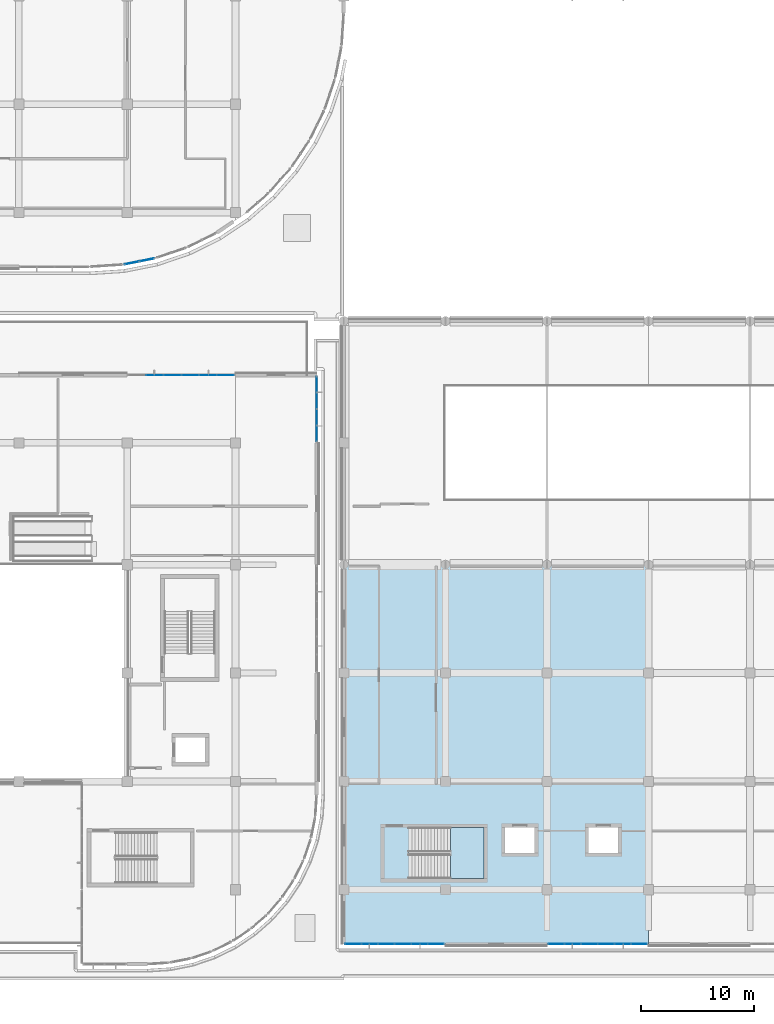
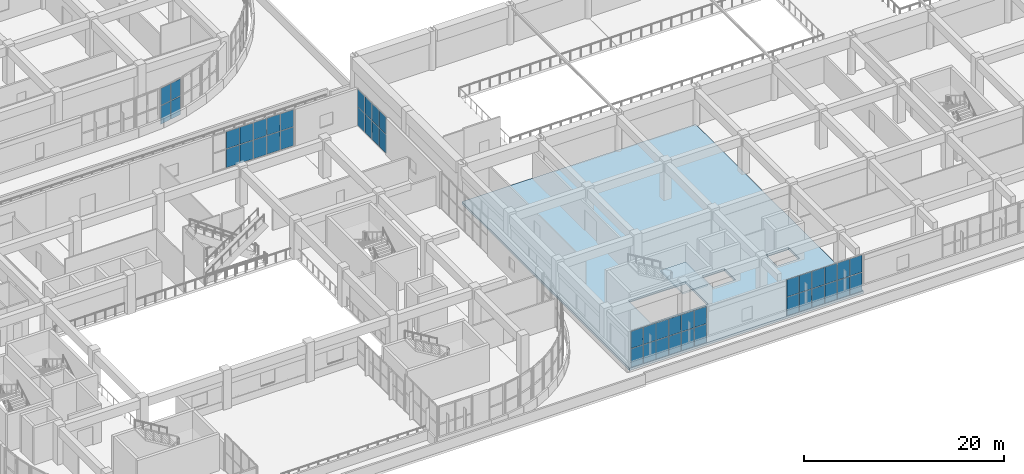
# One storey, part 47 of 96: 46 plates, 2 slabs, 6 elements without a shape of their own.
"""IFC4 building model written with IfcOpenShell, lengths in metres."""

from ifc_helpers import new_model, si_unit, direction, frame, origin, origin_2d, place, context, subcontext, project, spatial, polyline, rectangle, outline, extrude, material, layer, layer_set, type_object, element, aggregate, save


model = new_model("IFC4")

# Units and contexts
model_context = context("Model", 3, precision=1e-05, world=origin(), true_north=direction((0.0, 1.0)))
body_context = subcontext(model_context, "Body", "Model", "MODEL_VIEW")
ifc_project = project(units=[si_unit("LENGTHUNIT", "METRE"), si_unit("AREAUNIT", "SQUARE_METRE"), si_unit("VOLUMEUNIT", "CUBIC_METRE"), si_unit("PLANEANGLEUNIT", "RADIAN"), si_unit("MASSUNIT", "GRAM", prefix="KILO")], contexts=[model_context])

# Site, building, storey
site_placement = place(None, origin())
site = spatial("IfcSite", under=ifc_project, at=site_placement, CompositionType="ELEMENT")
building_placement = place(site_placement, origin())
building = spatial("IfcBuilding", under=site, at=building_placement, Name="Cendralis Terraced Arcade", CompositionType="ELEMENT")
storey_placement = place(building_placement, frame((0.0, 0.0, 10.199951171875)))
storey = spatial("IfcBuildingStorey", under=building, at=storey_placement, Name="L02", CompositionType="ELEMENT", Elevation=10.199951171875)

# Curtain wall, plates
ifc_material_1 = material(Name="Anodised aluminium EN AW-6063 T6", Category="aluminium")
ifc_layer_1 = layer(ifc_material_1, 0.1201171875, Name="CW-STORE-B")
ifc_layer_set_1 = layer_set([ifc_layer_1], Name="Anodised aluminium EN AW-6063 T6")
curtain_wall_type_1 = type_object("IfcCurtainWallType", Name="CW-STORE-B", PredefinedType="USERDEFINED", material=ifc_layer_set_1)
curtain_wall_1_placement = place(storey_placement, origin())
curtain_wall_1 = element("IfcCurtainWall", 1, at=curtain_wall_1_placement, inside=storey, type_object=curtain_wall_type_1, Name="Exterior Storefront Glazing CW-L02-0190", ObjectType="STOREFRONT GLAZING", PredefinedType="USERDEFINED")
ifc_material_2 = material(Name="Tempered solar control laminated glass", Category="glass")
ifc_layer_2 = layer(ifc_material_2, 0.02392578125, Name="CW-STORE-B-PNL")
ifc_layer_set_2 = layer_set([ifc_layer_2], Name="Tempered solar control laminated glass")
plate_type_1 = type_object("IfcPlateType", Name="CW-STORE-B-PNL", PredefinedType="CURTAIN_PANEL", material=ifc_layer_set_2)
plate_1_placement = place(storey_placement, frame((93.361328125, 4.800048828125, 0.05517578125), z_axis=(0.0, 0.0, 1.0), x_axis=(-1.0, 0.0, 0.0)))
plate_1 = element("IfcPlate", 2, at=plate_1_placement, type_object=plate_type_1, Name="CW-S2 panel 1.1", PredefinedType="CURTAIN_PANEL", context=body_context, shape_type="SweptSolid", body=[
    extrude(rectangle(XDim=1.387451171875, YDim=0.02392578125, at=origin_2d()), origin(), (0.0, 0.0, 1.0), 2.265380859375),
])
plate_2_placement = place(storey_placement, frame((93.361328125, 4.800048828125, 2.37548828125), z_axis=(0.0, 0.0, 1.0), x_axis=(-1.0, 0.0, 0.0)))
plate_2 = element("IfcPlate", 3, at=plate_2_placement, type_object=plate_type_1, Name="CW-S2 panel 1.2", PredefinedType="CURTAIN_PANEL", context=body_context, shape_type="SweptSolid", body=[
    extrude(rectangle(XDim=1.387451171875, YDim=0.02392578125, at=origin_2d()), origin(), (0.0, 0.0, 1.0), 2.084716796875),
])
plate_3_placement = place(storey_placement, frame((91.905029296875, 4.800048828125, 0.05517578125), z_axis=(0.0, 0.0, 1.0), x_axis=(-1.0, 0.0, 0.0)))
plate_3 = element("IfcPlate", 4, at=plate_3_placement, type_object=plate_type_1, Name="CW-S2 panel 2.1", PredefinedType="CURTAIN_PANEL", context=body_context, shape_type="SweptSolid", body=[
    extrude(rectangle(XDim=1.4150390625, YDim=0.02392578125, at=origin_2d()), origin(), (0.0, 0.0, 1.0), 2.265380859375),
])
plate_4_placement = place(storey_placement, frame((91.905029296875, 4.800048828125, 2.37548828125), z_axis=(0.0, 0.0, 1.0), x_axis=(-1.0, 0.0, 0.0)))
plate_4 = element("IfcPlate", 5, at=plate_4_placement, type_object=plate_type_1, Name="CW-S2 panel 2.2", PredefinedType="CURTAIN_PANEL", context=body_context, shape_type="SweptSolid", body=[
    extrude(rectangle(XDim=1.4150390625, YDim=0.02392578125, at=origin_2d()), origin(), (0.0, 0.0, 1.0), 2.084716796875),
])
plate_5_placement = place(storey_placement, frame((90.43505859375, 4.800048828125, 0.05517578125), z_axis=(0.0, 0.0, 1.0), x_axis=(-1.0, 0.0, 0.0)))
plate_5 = element("IfcPlate", 6, at=plate_5_placement, type_object=plate_type_1, Name="CW-S2 panel 3.1", PredefinedType="CURTAIN_PANEL", context=body_context, shape_type="SweptSolid", body=[
    extrude(rectangle(XDim=1.4150390625, YDim=0.02392578125, at=origin_2d()), origin(), (0.0, 0.0, 1.0), 2.265380859375),
])
plate_6_placement = place(storey_placement, frame((90.43505859375, 4.800048828125, 2.37548828125), z_axis=(0.0, 0.0, 1.0), x_axis=(-1.0, 0.0, 0.0)))
plate_6 = element("IfcPlate", 7, at=plate_6_placement, type_object=plate_type_1, Name="CW-S2 panel 3.2", PredefinedType="CURTAIN_PANEL", context=body_context, shape_type="SweptSolid", body=[
    extrude(rectangle(XDim=1.4150390625, YDim=0.02392578125, at=origin_2d()), origin(), (0.0, 0.0, 1.0), 2.084716796875),
])
plate_7_placement = place(storey_placement, frame((88.965087890625, 4.800048828125, 0.05517578125), z_axis=(0.0, 0.0, 1.0), x_axis=(-1.0, 0.0, 0.0)))
plate_7 = element("IfcPlate", 8, at=plate_7_placement, type_object=plate_type_1, Name="CW-S2 panel 4.1", PredefinedType="CURTAIN_PANEL", context=body_context, shape_type="SweptSolid", body=[
    extrude(rectangle(XDim=1.4150390625, YDim=0.02392578125, at=origin_2d()), origin(), (0.0, 0.0, 1.0), 2.265380859375),
])
plate_8_placement = place(storey_placement, frame((88.965087890625, 4.800048828125, 2.37548828125), z_axis=(0.0, 0.0, 1.0), x_axis=(-1.0, 0.0, 0.0)))
plate_8 = element("IfcPlate", 9, at=plate_8_placement, type_object=plate_type_1, Name="CW-S2 panel 4.2", PredefinedType="CURTAIN_PANEL", context=body_context, shape_type="SweptSolid", body=[
    extrude(rectangle(XDim=1.4150390625, YDim=0.02392578125, at=origin_2d()), origin(), (0.0, 0.0, 1.0), 2.084716796875),
])
plate_9_placement = place(storey_placement, frame((87.4951171875, 4.800048828125, 0.05517578125), z_axis=(0.0, 0.0, 1.0), x_axis=(-1.0, 0.0, 0.0)))
plate_9 = element("IfcPlate", 10, at=plate_9_placement, type_object=plate_type_1, Name="CW-S2 panel 5.1", PredefinedType="CURTAIN_PANEL", context=body_context, shape_type="SweptSolid", body=[
    extrude(rectangle(XDim=1.4150390625, YDim=0.02392578125, at=origin_2d()), origin(), (0.0, 0.0, 1.0), 2.265380859375),
])
plate_10_placement = place(storey_placement, frame((87.4951171875, 4.800048828125, 2.37548828125), z_axis=(0.0, 0.0, 1.0), x_axis=(-1.0, 0.0, 0.0)))
plate_10 = element("IfcPlate", 11, at=plate_10_placement, type_object=plate_type_1, Name="CW-S2 panel 5.2", PredefinedType="CURTAIN_PANEL", context=body_context, shape_type="SweptSolid", body=[
    extrude(rectangle(XDim=1.4150390625, YDim=0.02392578125, at=origin_2d()), origin(), (0.0, 0.0, 1.0), 2.084716796875),
])
plate_11_placement = place(storey_placement, frame((86.038818359375, 4.800048828125, 0.05517578125), z_axis=(0.0, 0.0, 1.0), x_axis=(-1.0, 0.0, 0.0)))
plate_11 = element("IfcPlate", 12, at=plate_11_placement, type_object=plate_type_1, Name="CW-S2 panel 6.1", PredefinedType="CURTAIN_PANEL", context=body_context, shape_type="SweptSolid", body=[
    extrude(rectangle(XDim=1.387451171875, YDim=0.02392578125, at=origin_2d()), origin(), (0.0, 0.0, 1.0), 2.265380859375),
])
plate_12_placement = place(storey_placement, frame((86.038818359375, 4.800048828125, 2.37548828125), z_axis=(0.0, 0.0, 1.0), x_axis=(-1.0, 0.0, 0.0)))
plate_12 = element("IfcPlate", 13, at=plate_12_placement, type_object=plate_type_1, Name="CW-S2 panel 6.2", PredefinedType="CURTAIN_PANEL", context=body_context, shape_type="SweptSolid", body=[
    extrude(rectangle(XDim=1.387451171875, YDim=0.02392578125, at=origin_2d()), origin(), (0.0, 0.0, 1.0), 2.084716796875),
])
aggregate(curtain_wall_1, [plate_1, plate_2, plate_3, plate_4, plate_5, plate_6, plate_7, plate_8, plate_9, plate_10, plate_11, plate_12])

curtain_wall_2_placement = place(storey_placement, origin())
curtain_wall_2 = element("IfcCurtainWall", 14, at=curtain_wall_2_placement, inside=storey, type_object=curtain_wall_type_1, Name="Exterior Storefront Glazing CW-L02-0191", ObjectType="STOREFRONT GLAZING", PredefinedType="USERDEFINED")
plate_13_placement = place(storey_placement, frame((75.361328125, 4.800048828125, 0.05517578125), z_axis=(0.0, 0.0, 1.0), x_axis=(-1.0, 0.0, 0.0)))
plate_13 = element("IfcPlate", 15, at=plate_13_placement, type_object=plate_type_1, Name="CW-S2 panel 1.1", PredefinedType="CURTAIN_PANEL", context=body_context, shape_type="SweptSolid", body=[
    extrude(rectangle(XDim=1.387451171875, YDim=0.02392578125, at=origin_2d()), origin(), (0.0, 0.0, 1.0), 2.265380859375),
])
plate_14_placement = place(storey_placement, frame((75.361328125, 4.800048828125, 2.37548828125), z_axis=(0.0, 0.0, 1.0), x_axis=(-1.0, 0.0, 0.0)))
plate_14 = element("IfcPlate", 16, at=plate_14_placement, type_object=plate_type_1, Name="CW-S2 panel 1.2", PredefinedType="CURTAIN_PANEL", context=body_context, shape_type="SweptSolid", body=[
    extrude(rectangle(XDim=1.387451171875, YDim=0.02392578125, at=origin_2d()), origin(), (0.0, 0.0, 1.0), 2.084716796875),
])
plate_15_placement = place(storey_placement, frame((73.905029296875, 4.800048828125, 0.05517578125), z_axis=(0.0, 0.0, 1.0), x_axis=(-1.0, 0.0, 0.0)))
plate_15 = element("IfcPlate", 17, at=plate_15_placement, type_object=plate_type_1, Name="CW-S2 panel 2.1", PredefinedType="CURTAIN_PANEL", context=body_context, shape_type="SweptSolid", body=[
    extrude(rectangle(XDim=1.4150390625, YDim=0.02392578125, at=origin_2d()), origin(), (0.0, 0.0, 1.0), 2.265380859375),
])
plate_16_placement = place(storey_placement, frame((73.905029296875, 4.800048828125, 2.37548828125), z_axis=(0.0, 0.0, 1.0), x_axis=(-1.0, 0.0, 0.0)))
plate_16 = element("IfcPlate", 18, at=plate_16_placement, type_object=plate_type_1, Name="CW-S2 panel 2.2", PredefinedType="CURTAIN_PANEL", context=body_context, shape_type="SweptSolid", body=[
    extrude(rectangle(XDim=1.4150390625, YDim=0.02392578125, at=origin_2d()), origin(), (0.0, 0.0, 1.0), 2.084716796875),
])
plate_17_placement = place(storey_placement, frame((72.43505859375, 4.800048828125, 0.05517578125), z_axis=(0.0, 0.0, 1.0), x_axis=(-1.0, 0.0, 0.0)))
plate_17 = element("IfcPlate", 19, at=plate_17_placement, type_object=plate_type_1, Name="CW-S2 panel 3.1", PredefinedType="CURTAIN_PANEL", context=body_context, shape_type="SweptSolid", body=[
    extrude(rectangle(XDim=1.4150390625, YDim=0.02392578125, at=origin_2d()), origin(), (0.0, 0.0, 1.0), 2.265380859375),
])
plate_18_placement = place(storey_placement, frame((72.43505859375, 4.800048828125, 2.37548828125), z_axis=(0.0, 0.0, 1.0), x_axis=(-1.0, 0.0, 0.0)))
plate_18 = element("IfcPlate", 20, at=plate_18_placement, type_object=plate_type_1, Name="CW-S2 panel 3.2", PredefinedType="CURTAIN_PANEL", context=body_context, shape_type="SweptSolid", body=[
    extrude(rectangle(XDim=1.4150390625, YDim=0.02392578125, at=origin_2d()), origin(), (0.0, 0.0, 1.0), 2.084716796875),
])
plate_19_placement = place(storey_placement, frame((70.965087890625, 4.800048828125, 0.05517578125), z_axis=(0.0, 0.0, 1.0), x_axis=(-1.0, 0.0, 0.0)))
plate_19 = element("IfcPlate", 21, at=plate_19_placement, type_object=plate_type_1, Name="CW-S2 panel 4.1", PredefinedType="CURTAIN_PANEL", context=body_context, shape_type="SweptSolid", body=[
    extrude(rectangle(XDim=1.4150390625, YDim=0.02392578125, at=origin_2d()), origin(), (0.0, 0.0, 1.0), 2.265380859375),
])
plate_20_placement = place(storey_placement, frame((70.965087890625, 4.800048828125, 2.37548828125), z_axis=(0.0, 0.0, 1.0), x_axis=(-1.0, 0.0, 0.0)))
plate_20 = element("IfcPlate", 22, at=plate_20_placement, type_object=plate_type_1, Name="CW-S2 panel 4.2", PredefinedType="CURTAIN_PANEL", context=body_context, shape_type="SweptSolid", body=[
    extrude(rectangle(XDim=1.4150390625, YDim=0.02392578125, at=origin_2d()), origin(), (0.0, 0.0, 1.0), 2.084716796875),
])
plate_21_placement = place(storey_placement, frame((69.4951171875, 4.800048828125, 0.05517578125), z_axis=(0.0, 0.0, 1.0), x_axis=(-1.0, 0.0, 0.0)))
plate_21 = element("IfcPlate", 23, at=plate_21_placement, type_object=plate_type_1, Name="CW-S2 panel 5.1", PredefinedType="CURTAIN_PANEL", context=body_context, shape_type="SweptSolid", body=[
    extrude(rectangle(XDim=1.4150390625, YDim=0.02392578125, at=origin_2d()), origin(), (0.0, 0.0, 1.0), 2.265380859375),
])
plate_22_placement = place(storey_placement, frame((69.4951171875, 4.800048828125, 2.37548828125), z_axis=(0.0, 0.0, 1.0), x_axis=(-1.0, 0.0, 0.0)))
plate_22 = element("IfcPlate", 24, at=plate_22_placement, type_object=plate_type_1, Name="CW-S2 panel 5.2", PredefinedType="CURTAIN_PANEL", context=body_context, shape_type="SweptSolid", body=[
    extrude(rectangle(XDim=1.4150390625, YDim=0.02392578125, at=origin_2d()), origin(), (0.0, 0.0, 1.0), 2.084716796875),
])
plate_23_placement = place(storey_placement, frame((68.038818359375, 4.800048828125, 0.05517578125), z_axis=(0.0, 0.0, 1.0), x_axis=(-1.0, 0.0, 0.0)))
plate_23 = element("IfcPlate", 25, at=plate_23_placement, type_object=plate_type_1, Name="CW-S2 panel 6.1", PredefinedType="CURTAIN_PANEL", context=body_context, shape_type="SweptSolid", body=[
    extrude(rectangle(XDim=1.387451171875, YDim=0.02392578125, at=origin_2d()), origin(), (0.0, 0.0, 1.0), 2.265380859375),
])
plate_24_placement = place(storey_placement, frame((68.038818359375, 4.800048828125, 2.37548828125), z_axis=(0.0, 0.0, 1.0), x_axis=(-1.0, 0.0, 0.0)))
plate_24 = element("IfcPlate", 26, at=plate_24_placement, type_object=plate_type_1, Name="CW-S2 panel 6.2", PredefinedType="CURTAIN_PANEL", context=body_context, shape_type="SweptSolid", body=[
    extrude(rectangle(XDim=1.387451171875, YDim=0.02392578125, at=origin_2d()), origin(), (0.0, 0.0, 1.0), 2.084716796875),
])
aggregate(curtain_wall_2, [plate_13, plate_14, plate_15, plate_16, plate_17, plate_18, plate_19, plate_20, plate_21, plate_22, plate_23, plate_24])

curtain_wall_3_placement = place(storey_placement, origin())
curtain_wall_3 = element("IfcCurtainWall", 27, at=curtain_wall_3_placement, inside=storey, type_object=curtain_wall_type_1, Name="Exterior Storefront Glazing CW-L02-0224", ObjectType="STOREFRONT GLAZING", PredefinedType="USERDEFINED")
plate_25_placement = place(storey_placement, frame((50.445068359375, 55.199951171875, 0.05517578125), z_axis=(0.0, 0.0, 1.0), x_axis=(1.0, 0.0, 0.0)))
plate_25 = element("IfcPlate", 28, at=plate_25_placement, type_object=plate_type_1, Name="CW-S2 panel 2.1", PredefinedType="CURTAIN_PANEL", context=body_context, shape_type="SweptSolid", body=[
    extrude(rectangle(XDim=1.514892578125, YDim=0.02392578125, at=origin_2d()), origin(), (0.0, 0.0, 1.0), 2.265380859375),
])
plate_26_placement = place(storey_placement, frame((50.445068359375, 55.199951171875, 2.37548828125), z_axis=(0.0, 0.0, 1.0), x_axis=(1.0, 0.0, 0.0)))
plate_26 = element("IfcPlate", 29, at=plate_26_placement, type_object=plate_type_1, Name="CW-S2 panel 2.2", PredefinedType="CURTAIN_PANEL", context=body_context, shape_type="SweptSolid", body=[
    extrude(rectangle(XDim=1.514892578125, YDim=0.02392578125, at=origin_2d()), origin(), (0.0, 0.0, 1.0), 2.084716796875),
])
plate_27_placement = place(storey_placement, frame((52.014892578125, 55.199951171875, 0.05517578125), z_axis=(0.0, 0.0, 1.0), x_axis=(1.0, 0.0, 0.0)))
plate_27 = element("IfcPlate", 30, at=plate_27_placement, type_object=plate_type_1, Name="CW-S2 panel 3.1", PredefinedType="CURTAIN_PANEL", context=body_context, shape_type="SweptSolid", body=[
    extrude(rectangle(XDim=1.514892578125, YDim=0.02392578125, at=origin_2d()), origin(), (0.0, 0.0, 1.0), 2.265380859375),
])
plate_28_placement = place(storey_placement, frame((52.014892578125, 55.199951171875, 2.37548828125), z_axis=(0.0, 0.0, 1.0), x_axis=(1.0, 0.0, 0.0)))
plate_28 = element("IfcPlate", 31, at=plate_28_placement, type_object=plate_type_1, Name="CW-S2 panel 3.2", PredefinedType="CURTAIN_PANEL", context=body_context, shape_type="SweptSolid", body=[
    extrude(rectangle(XDim=1.514892578125, YDim=0.02392578125, at=origin_2d()), origin(), (0.0, 0.0, 1.0), 2.084716796875),
])
plate_29_placement = place(storey_placement, frame((53.5849609375, 55.199951171875, 0.05517578125), z_axis=(0.0, 0.0, 1.0), x_axis=(1.0, 0.0, 0.0)))
plate_29 = element("IfcPlate", 32, at=plate_29_placement, type_object=plate_type_1, Name="CW-S2 panel 4.1", PredefinedType="CURTAIN_PANEL", context=body_context, shape_type="SweptSolid", body=[
    extrude(rectangle(XDim=1.514892578125, YDim=0.02392578125, at=origin_2d()), origin(), (0.0, 0.0, 1.0), 2.265380859375),
])
plate_30_placement = place(storey_placement, frame((53.5849609375, 55.199951171875, 2.37548828125), z_axis=(0.0, 0.0, 1.0), x_axis=(1.0, 0.0, 0.0)))
plate_30 = element("IfcPlate", 33, at=plate_30_placement, type_object=plate_type_1, Name="CW-S2 panel 4.2", PredefinedType="CURTAIN_PANEL", context=body_context, shape_type="SweptSolid", body=[
    extrude(rectangle(XDim=1.514892578125, YDim=0.02392578125, at=origin_2d()), origin(), (0.0, 0.0, 1.0), 2.084716796875),
])
plate_31_placement = place(storey_placement, frame((55.155029296875, 55.199951171875, 0.05517578125), z_axis=(0.0, 0.0, 1.0), x_axis=(1.0, 0.0, 0.0)))
plate_31 = element("IfcPlate", 34, at=plate_31_placement, type_object=plate_type_1, Name="CW-S2 panel 5.1", PredefinedType="CURTAIN_PANEL", context=body_context, shape_type="SweptSolid", body=[
    extrude(rectangle(XDim=1.514892578125, YDim=0.02392578125, at=origin_2d()), origin(), (0.0, 0.0, 1.0), 2.265380859375),
])
plate_32_placement = place(storey_placement, frame((55.155029296875, 55.199951171875, 2.37548828125), z_axis=(0.0, 0.0, 1.0), x_axis=(1.0, 0.0, 0.0)))
plate_32 = element("IfcPlate", 35, at=plate_32_placement, type_object=plate_type_1, Name="CW-S2 panel 5.2", PredefinedType="CURTAIN_PANEL", context=body_context, shape_type="SweptSolid", body=[
    extrude(rectangle(XDim=1.514892578125, YDim=0.02392578125, at=origin_2d()), origin(), (0.0, 0.0, 1.0), 2.084716796875),
])
plate_33_placement = place(storey_placement, frame((56.711181640625, 55.199951171875, 0.05517578125), z_axis=(0.0, 0.0, 1.0), x_axis=(1.0, 0.0, 0.0)))
plate_33 = element("IfcPlate", 36, at=plate_33_placement, type_object=plate_type_1, Name="CW-S2 panel 6.1", PredefinedType="CURTAIN_PANEL", context=body_context, shape_type="SweptSolid", body=[
    extrude(rectangle(XDim=1.487548828125, YDim=0.02392578125, at=origin_2d()), origin(), (0.0, 0.0, 1.0), 2.265380859375),
])
plate_34_placement = place(storey_placement, frame((56.711181640625, 55.199951171875, 2.37548828125), z_axis=(0.0, 0.0, 1.0), x_axis=(1.0, 0.0, 0.0)))
plate_34 = element("IfcPlate", 37, at=plate_34_placement, type_object=plate_type_1, Name="CW-S2 panel 6.2", PredefinedType="CURTAIN_PANEL", context=body_context, shape_type="SweptSolid", body=[
    extrude(rectangle(XDim=1.487548828125, YDim=0.02392578125, at=origin_2d()), origin(), (0.0, 0.0, 1.0), 2.084716796875),
])
aggregate(curtain_wall_3, [plate_25, plate_26, plate_27, plate_28, plate_29, plate_30, plate_31, plate_32, plate_33, plate_34])

curtain_wall_4_placement = place(storey_placement, origin())
curtain_wall_4 = element("IfcCurtainWall", 38, at=curtain_wall_4_placement, inside=storey, type_object=curtain_wall_type_1, Name="Exterior Storefront Glazing CW-L02-0225", ObjectType="STOREFRONT GLAZING", PredefinedType="USERDEFINED")
plate_35_placement = place(storey_placement, frame((64.800048828125, 54.36865234375, 0.05517578125), z_axis=(0.0, 0.0, 1.0), x_axis=(0.0, -1.0, 0.0)))
plate_35 = element("IfcPlate", 39, at=plate_35_placement, type_object=plate_type_1, Name="CW-S2 panel 1.1", PredefinedType="CURTAIN_PANEL", context=body_context, shape_type="SweptSolid", body=[
    extrude(rectangle(XDim=1.37255859375, YDim=0.02392578125, at=origin_2d()), origin(), (0.0, 0.0, 1.0), 2.265380859375),
])
plate_36_placement = place(storey_placement, frame((64.800048828125, 54.36865234375, 2.37548828125), z_axis=(0.0, 0.0, 1.0), x_axis=(0.0, -1.0, 0.0)))
plate_36 = element("IfcPlate", 40, at=plate_36_placement, type_object=plate_type_1, Name="CW-S2 panel 1.2", PredefinedType="CURTAIN_PANEL", context=body_context, shape_type="SweptSolid", body=[
    extrude(rectangle(XDim=1.37255859375, YDim=0.02392578125, at=origin_2d()), origin(), (0.0, 0.0, 1.0), 2.084716796875),
])
plate_37_placement = place(storey_placement, frame((64.800048828125, 52.927490234375, 0.05517578125), z_axis=(0.0, 0.0, 1.0), x_axis=(0.0, -1.0, 0.0)))
plate_37 = element("IfcPlate", 41, at=plate_37_placement, type_object=plate_type_1, Name="CW-S2 panel 2.1", PredefinedType="CURTAIN_PANEL", context=body_context, shape_type="SweptSolid", body=[
    extrude(rectangle(XDim=1.39990234375, YDim=0.02392578125, at=origin_2d()), origin(), (0.0, 0.0, 1.0), 2.265380859375),
])
plate_38_placement = place(storey_placement, frame((64.800048828125, 52.927490234375, 2.37548828125), z_axis=(0.0, 0.0, 1.0), x_axis=(0.0, -1.0, 0.0)))
plate_38 = element("IfcPlate", 42, at=plate_38_placement, type_object=plate_type_1, Name="CW-S2 panel 2.2", PredefinedType="CURTAIN_PANEL", context=body_context, shape_type="SweptSolid", body=[
    extrude(rectangle(XDim=1.39990234375, YDim=0.02392578125, at=origin_2d()), origin(), (0.0, 0.0, 1.0), 2.084716796875),
])
plate_39_placement = place(storey_placement, frame((64.800048828125, 51.472412109375, 0.05517578125), z_axis=(0.0, 0.0, 1.0), x_axis=(0.0, -1.0, 0.0)))
plate_39 = element("IfcPlate", 43, at=plate_39_placement, type_object=plate_type_1, Name="CW-S2 panel 3.1", PredefinedType="CURTAIN_PANEL", context=body_context, shape_type="SweptSolid", body=[
    extrude(rectangle(XDim=1.39990234375, YDim=0.02392578125, at=origin_2d()), origin(), (0.0, 0.0, 1.0), 2.265380859375),
])
plate_40_placement = place(storey_placement, frame((64.800048828125, 51.472412109375, 2.37548828125), z_axis=(0.0, 0.0, 1.0), x_axis=(0.0, -1.0, 0.0)))
plate_40 = element("IfcPlate", 44, at=plate_40_placement, type_object=plate_type_1, Name="CW-S2 panel 3.2", PredefinedType="CURTAIN_PANEL", context=body_context, shape_type="SweptSolid", body=[
    extrude(rectangle(XDim=1.39990234375, YDim=0.02392578125, at=origin_2d()), origin(), (0.0, 0.0, 1.0), 2.084716796875),
])
plate_41_placement = place(storey_placement, frame((64.800048828125, 50.03125, 0.05517578125), z_axis=(0.0, 0.0, 1.0), x_axis=(0.0, -1.0, 0.0)))
plate_41 = element("IfcPlate", 45, at=plate_41_placement, type_object=plate_type_1, Name="CW-S2 panel 4.1", PredefinedType="CURTAIN_PANEL", context=body_context, shape_type="SweptSolid", body=[
    extrude(rectangle(XDim=1.37255859375, YDim=0.02392578125, at=origin_2d()), origin(), (0.0, 0.0, 1.0), 2.265380859375),
])
plate_42_placement = place(storey_placement, frame((64.800048828125, 50.03125, 2.37548828125), z_axis=(0.0, 0.0, 1.0), x_axis=(0.0, -1.0, 0.0)))
plate_42 = element("IfcPlate", 46, at=plate_42_placement, type_object=plate_type_1, Name="CW-S2 panel 4.2", PredefinedType="CURTAIN_PANEL", context=body_context, shape_type="SweptSolid", body=[
    extrude(rectangle(XDim=1.37255859375, YDim=0.02392578125, at=origin_2d()), origin(), (0.0, 0.0, 1.0), 2.084716796875),
])
aggregate(curtain_wall_4, [plate_35, plate_36, plate_37, plate_38, plate_39, plate_40, plate_41, plate_42])

ifc_layer_3 = layer(ifc_material_1, 0.179931640625, Name="CW-UNIT-A")
ifc_layer_set_3 = layer_set([ifc_layer_3], Name="Anodised aluminium EN AW-6063 T6")
curtain_wall_type_2 = type_object("IfcCurtainWallType", Name="CW-UNIT-A", PredefinedType="USERDEFINED", material=ifc_layer_set_3)
curtain_wall_5_placement = place(storey_placement, origin())
curtain_wall_5 = element("IfcCurtainWall", 47, at=curtain_wall_5_placement, inside=storey, type_object=curtain_wall_type_2, Name="Exterior Unitised Facade CW-L02-0125", ObjectType="UNITISED FACADE", PredefinedType="USERDEFINED")
ifc_layer_4 = layer(ifc_material_2, 0.035888671875, Name="CW-UNIT-A-PNL")
ifc_layer_set_4 = layer_set([ifc_layer_4], Name="Tempered solar control laminated glass")
plate_type_2 = type_object("IfcPlateType", Name="CW-UNIT-A-PNL", PredefinedType="CURTAIN_PANEL", material=ifc_layer_set_4)
plate_43_placement = place(storey_placement, frame((49.74169921875, 65.4111328125, 0.06494140625), z_axis=(0.0, 0.0, 1.0), x_axis=(-0.980788916906, -0.195072039192, 0.0)))
plate_43 = element("IfcPlate", 48, at=plate_43_placement, type_object=plate_type_2, Name="CW-U1 panel 1.1", PredefinedType="CURTAIN_PANEL", context=body_context, shape_type="SweptSolid", body=[
    extrude(rectangle(XDim=1.283935546875, YDim=0.035888671875, at=origin_2d()), origin(), (0.0, 0.0, 1.0), 2.250244140625),
])
plate_44_placement = place(storey_placement, frame((49.74169921875, 65.4111328125, 2.38037109375), z_axis=(0.0, 0.0, 1.0), x_axis=(-0.980788916906, -0.195072039192, 0.0)))
plate_44 = element("IfcPlate", 49, at=plate_44_placement, type_object=plate_type_2, Name="CW-U1 panel 1.2", PredefinedType="CURTAIN_PANEL", context=body_context, shape_type="SweptSolid", body=[
    extrude(rectangle(XDim=1.283935546875, YDim=0.035888671875, at=origin_2d()), origin(), (0.0, 0.0, 1.0), 2.069580078125),
])
plate_45_placement = place(storey_placement, frame((48.41845703125, 65.14794921875, 0.06494140625), z_axis=(0.0, 0.0, 1.0), x_axis=(-0.980788916906, -0.195072039192, 0.0)))
plate_45 = element("IfcPlate", 50, at=plate_45_placement, type_object=plate_type_2, Name="CW-U1 panel 2.1", PredefinedType="CURTAIN_PANEL", context=body_context, shape_type="SweptSolid", body=[
    extrude(rectangle(XDim=1.283935546875, YDim=0.035888671875, at=origin_2d()), origin(), (0.0, 0.0, 1.0), 2.250244140625),
])
plate_46_placement = place(storey_placement, frame((48.41845703125, 65.14794921875, 2.38037109375), z_axis=(0.0, 0.0, 1.0), x_axis=(-0.980788916906, -0.195072039192, 0.0)))
plate_46 = element("IfcPlate", 51, at=plate_46_placement, type_object=plate_type_2, Name="CW-U1 panel 2.2", PredefinedType="CURTAIN_PANEL", context=body_context, shape_type="SweptSolid", body=[
    extrude(rectangle(XDim=1.283935546875, YDim=0.035888671875, at=origin_2d()), origin(), (0.0, 0.0, 1.0), 2.069580078125),
])
aggregate(curtain_wall_5, [plate_43, plate_44, plate_45, plate_46])

# Slab
ifc_material_3 = material(Name="Concrete f'c 35 MPa", Category="concrete")
ifc_layer_5 = layer(ifc_material_3, 0.294921875, Name="SLB-L02-295")
ifc_layer_set_5 = layer_set([ifc_layer_5], Name="Concrete f'c 35 MPa")
slab_type_1 = type_object("IfcSlabType", Name="SLB-L02-295", PredefinedType="FLOOR", material=ifc_layer_set_5)
slab_1_placement = place(storey_placement, frame((0.0, 0.0, -0.294921875)))
element("IfcSlab", 52, at=slab_1_placement, inside=storey, type_object=slab_type_1, Name="Reinforced Concrete Floor Slab SLB-L02-V4-C1-1", PredefinedType="FLOOR", context=body_context, shape_type="SweptSolid", body=[
    extrude(outline(polyline([(94.199951171875, 4.800048828125), (67.199951171875, 4.800048828125), (67.199951171875, 38.3798828125), (94.199951171875, 38.3798828125), (94.199951171875, 4.800048828125)]), holes=[polyline([(79.60009765625, 15.10009765625), (72.97998046875, 15.10009765625), (72.97998046875, 10.60009765625), (79.60009765625, 10.60009765625), (79.60009765625, 15.10009765625)]), polyline([(84.10009765625, 15.125), (81.5, 15.125), (81.5, 12.875), (84.10009765625, 12.875), (84.10009765625, 15.125)]), polyline([(91.5, 15.125), (88.89990234375, 15.125), (88.89990234375, 12.875), (91.5, 12.875), (91.5, 15.125)])]), origin(), (0.0, 0.0, 1.0), 0.294921875),
])

# Stair, slab
stair_type = type_object("IfcStairType", Name="STR-W215-H480", PredefinedType="HALF_TURN_STAIR", material=ifc_material_3)
stair_placement = place(storey_placement, origin())
stair = element("IfcStair", 53, at=stair_placement, inside=storey, type_object=stair_type, Name="L02 Protected Exit Stair ST-08", PredefinedType="HALF_TURN_STAIR")
ifc_layer_6 = layer(ifc_material_3, 0.199951171875, Name="SLB-STAIR-LND-200")
ifc_layer_set_6 = layer_set([ifc_layer_6], Name="Concrete f'c 35 MPa")
slab_type_2 = type_object("IfcSlabType", Name="SLB-STAIR-LND-200", PredefinedType="LANDING", material=ifc_layer_set_6)
slab_2_placement = place(storey_placement, frame((0.0, 0.0, 2.199951171875)))
slab_2 = element("IfcSlab", 54, at=slab_2_placement, type_object=slab_type_2, Name="ST-08 landing 1", PredefinedType="LANDING", context=body_context, shape_type="SweptSolid", body=[
    extrude(outline(polyline([(76.655029296875, 10.60009765625), (79.60009765625, 10.60009765625), (79.60009765625, 15.10009765625), (76.655029296875, 15.10009765625), (76.655029296875, 10.60009765625)])), origin(), (0.0, 0.0, 1.0), 0.2001953125),
])
aggregate(stair, [slab_2])

save(model, "model.ifc")
